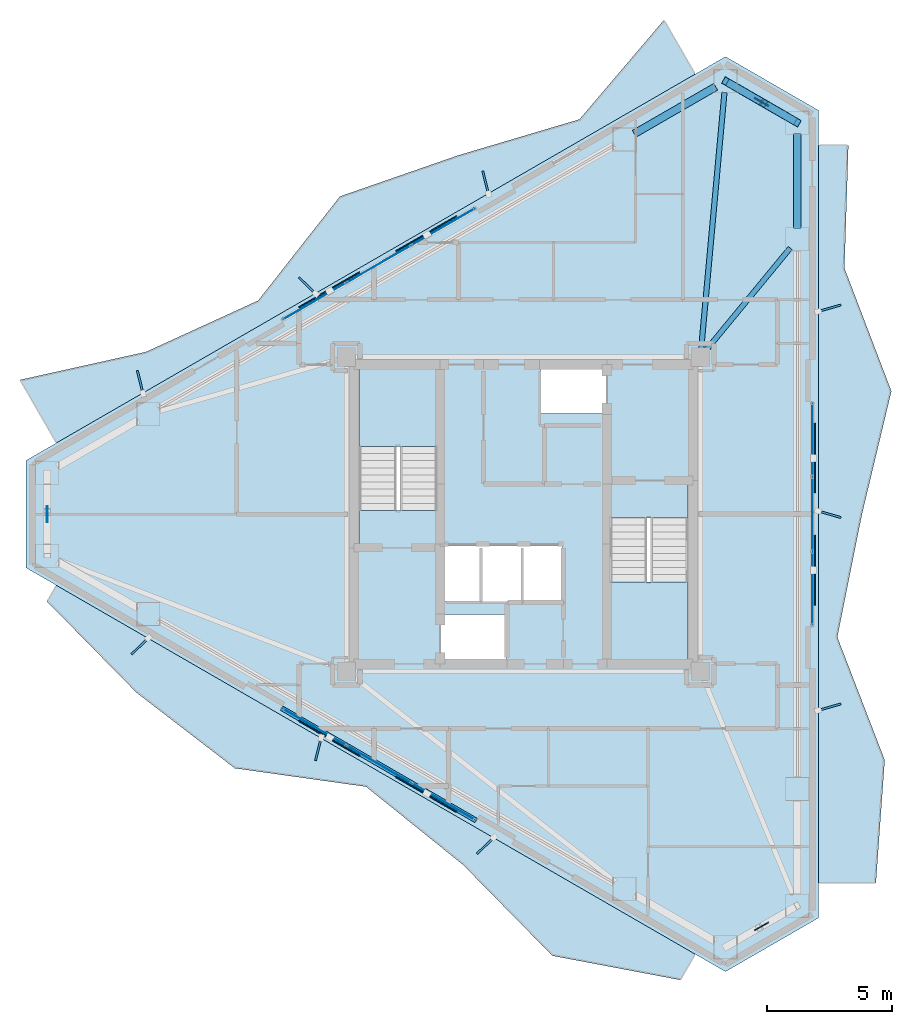
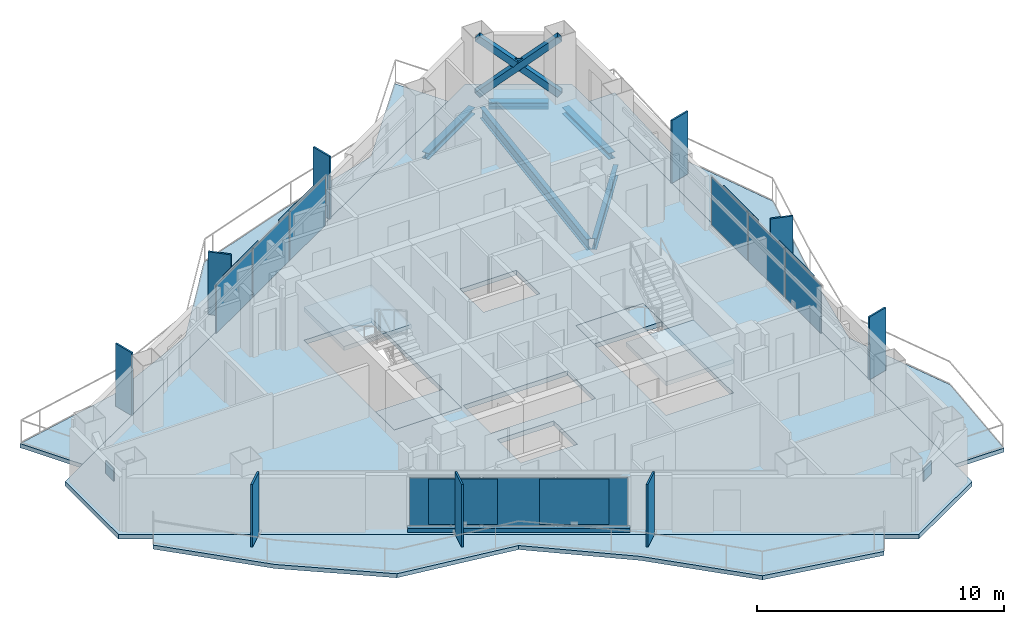
# One storey, part 15 of 21: 27 plates, 8 slabs, 5 beams, 3 members, 1 wall, 5 elements without a shape of their own.
"""IFC4 building model written with IfcOpenShell, lengths in metres."""

from ifc_helpers import new_model, si_unit, direction, frame, frame_2d, origin, origin_2d, place, context, subcontext, project, spatial, polyline, rectangle, hollow_rectangle, i_section, outline, extrude, material, layer, layer_set, material_profile, profile_set, type_object, element, aggregate, save


model = new_model("IFC4")

# Units and contexts
model_context = context("Model", 3, precision=1e-05, world=origin(), true_north=direction((0.0, 1.0)))
body_context = subcontext(model_context, "Body", "Model", "MODEL_VIEW")
ifc_project = project(units=[si_unit("LENGTHUNIT", "METRE"), si_unit("AREAUNIT", "SQUARE_METRE"), si_unit("VOLUMEUNIT", "CUBIC_METRE"), si_unit("PLANEANGLEUNIT", "RADIAN"), si_unit("MASSUNIT", "GRAM", prefix="KILO")], contexts=[model_context])

# Site, building, storey
site_placement = place(None, origin())
site = spatial("IfcSite", under=ifc_project, at=site_placement, CompositionType="ELEMENT")
building_placement = place(site_placement, origin())
building = spatial("IfcBuilding", under=site, at=building_placement, Name="Mersakhor Tower and Convention Hall", CompositionType="ELEMENT")
storey_placement = place(building_placement, frame((0.0, 0.0, 182.10009765625)))
storey = spatial("IfcBuildingStorey", under=building, at=storey_placement, Name="L50", CompositionType="ELEMENT", Elevation=182.10009765625)

# Beams
ifc_material_1 = material(Name="Steel S355", Category="steel")
ifc_material_profile_1 = material_profile(ifc_material_1, i_section(OverallWidth=0.2099609375, OverallDepth=0.53662109375, WebThickness=0.0107421875, FlangeThickness=0.017333984375, at=origin_2d()), Name="UB 533x210x101")
ifc_profile_set_1 = profile_set([ifc_material_profile_1], Name="Steel S355")
beam_type_1 = type_object("IfcBeamType", Name="BM-FB-533", PredefinedType="BEAM", material=ifc_profile_set_1)
beam_1_placement = place(storey_placement, frame((36.132080078125, 33.403564453125, -0.498291015625), z_axis=(0.09035626971, 0.995909506192, 0.0), x_axis=(-0.995909506192, 0.09035626971, 0.0)))
element("IfcBeam", 1, at=beam_1_placement, inside=storey, type_object=beam_type_1, Name="L50 Primary Floor Girder FG-2", PredefinedType="BEAM", context=body_context, shape_type="SweptSolid", body=[
    extrude(i_section(OverallWidth=0.2099609375, OverallDepth=0.53662109375, WebThickness=0.0107421875, FlangeThickness=0.017333984375, at=origin_2d()), origin(), (0.0, 0.0, 1.0), 10.302734375),
])
beam_2_placement = place(storey_placement, frame((36.32568359375, 33.32421875, -0.498291015625), z_axis=(0.635639529599, 0.77198600273, 0.0), x_axis=(-0.77198600273, 0.635639529599, 0.0)))
element("IfcBeam", 2, at=beam_2_placement, inside=storey, type_object=beam_type_1, Name="L50 Primary Floor Girder FG-3", PredefinedType="BEAM", context=body_context, shape_type="SweptSolid", body=[
    extrude(i_section(OverallWidth=0.2099609375, OverallDepth=0.53662109375, WebThickness=0.0107421875, FlangeThickness=0.017333984375, at=origin_2d()), origin(), (0.0, 0.0, 1.0), 5.307373046875),
])
ifc_material_2 = material(Name="Steel S355", Category="steel")
ifc_material_profile_2 = material_profile(ifc_material_2, i_section(OverallWidth=0.30908203125, OverallDepth=0.320556640625, WebThickness=0.013916015625, FlangeThickness=0.021728515625, at=origin_2d()), Name="UC 305x305x137")
ifc_profile_set_2 = profile_set([ifc_material_profile_2], Name="Steel S355")
beam_type_2 = type_object("IfcBeamType", Name="BM-SPD-UC305", PredefinedType="SPANDREL", material=ifc_profile_set_2)
beam_3_placement = place(storey_placement, frame((33.44580078125, 42.005126953125, -0.390380859375), z_axis=(0.866046450459, 0.499963544319, 0.0), x_axis=(-0.499963544319, 0.866046450459, 0.0)))
element("IfcBeam", 3, at=beam_3_placement, inside=storey, type_object=beam_type_2, Name="L50 Perimeter Spandrel Beam SPB-03", PredefinedType="SPANDREL", context=body_context, shape_type="SweptSolid", body=[
    extrude(i_section(OverallWidth=0.30908203125, OverallDepth=0.320556640625, WebThickness=0.013916015625, FlangeThickness=0.021728515625, at=origin_2d()), origin(), (0.0, 0.0, 1.0), 3.769287109375),
])
beam_4_placement = place(storey_placement, frame((37.498046875, 43.8896484375, -0.390380859375), z_axis=(0.86605626798, -0.499946537834, 0.0), x_axis=(0.499946537834, 0.86605626798, 0.0)))
element("IfcBeam", 4, at=beam_4_placement, inside=storey, type_object=beam_type_2, Name="L50 Perimeter Spandrel Beam SPB-04", PredefinedType="SPANDREL", context=body_context, shape_type="SweptSolid", body=[
    extrude(i_section(OverallWidth=0.30908203125, OverallDepth=0.320556640625, WebThickness=0.013916015625, FlangeThickness=0.021728515625, at=origin_2d()), origin(), (0.0, 0.0, 1.0), 2.420654296875),
])
beam_5_placement = place(storey_placement, frame((39.98828125, 41.9970703125, -0.390380859375), z_axis=(0.0, -1.0, 0.0), x_axis=(1.0, 0.0, 0.0)))
element("IfcBeam", 5, at=beam_5_placement, inside=storey, type_object=beam_type_2, Name="L50 Perimeter Spandrel Beam SPB-05", PredefinedType="SPANDREL", context=body_context, shape_type="SweptSolid", body=[
    extrude(i_section(OverallWidth=0.30908203125, OverallDepth=0.320556640625, WebThickness=0.013916015625, FlangeThickness=0.021728515625, at=origin_2d()), origin(), (0.0, 0.0, 1.0), 3.769287109375),
])

# Members
ifc_material_3 = material(Name="Steel S355", Category="steel")
ifc_material_profile_3 = material_profile(ifc_material_3, hollow_rectangle(XDim=0.300048828125, YDim=0.300048828125, WallThickness=0.01611328125, at=origin_2d()), Name="SHS 300x300x16")
ifc_profile_set_3 = profile_set([ifc_material_profile_3], Name="Steel S355")
member_type = type_object("IfcMemberType", Name="MB-BRC-SHS300", PredefinedType="BRACE", material=ifc_profile_set_3)
member_1_placement = place(storey_placement, frame((37.10400390625, 44.1171875, 0.14990234375), z_axis=(0.665824923443, -0.384424564314, 0.639448923429), x_axis=(0.50001011158, 0.866019565782, 0.0)))
element("IfcMember", 6, at=member_1_placement, inside=storey, type_object=member_type, Name="L50 Chamfer Braced Frame Diagonal CB-1A", PredefinedType="BRACE", context=body_context, shape_type="SweptSolid", body=[
    extrude(hollow_rectangle(XDim=0.300048828125, YDim=0.300048828125, WallThickness=0.01611328125, at=origin_2d()), origin(), (0.0, 0.0, 1.0), 4.331787109375),
])
member_2_placement = place(storey_placement, frame((39.98828125, 42.451904296875, 0.14990234375), z_axis=(-0.665763296387, 0.384506307606, 0.639463941592), x_axis=(-0.500124558158, -0.865953478154, 0.0)))
element("IfcMember", 7, at=member_2_placement, inside=storey, type_object=member_type, Name="L50 Chamfer Braced Frame Diagonal CB-1B Lower Half", PredefinedType="BRACE", context=body_context, shape_type="SweptSolid", body=[
    extrude(hollow_rectangle(XDim=0.300048828125, YDim=0.300048828125, WallThickness=0.01611328125, at=origin_2d()), origin(), (0.0, 0.0, 1.0), 2.005126953125),
])
member_3_placement = place(storey_placement, frame((38.439208984375, 43.34619140625, 1.6376953125), z_axis=(-0.665831077073, 0.384475140135, 0.639412107659), x_axis=(-0.50005597947, -0.86599308161, 0.0)))
element("IfcMember", 8, at=member_3_placement, inside=storey, type_object=member_type, Name="L50 Chamfer Braced Frame Diagonal CB-1B Upper Half", PredefinedType="BRACE", context=body_context, shape_type="SweptSolid", body=[
    extrude(hollow_rectangle(XDim=0.300048828125, YDim=0.300048828125, WallThickness=0.01611328125, at=origin_2d()), origin(), (0.0, 0.0, 1.0), 2.00537109375),
])

# Curtain wall, plates
ifc_material_4 = material(Name="Dark solar low-E aluminium curtain wall", Category="aluminium")
ifc_layer_1 = layer(ifc_material_4, 0.169921875)
ifc_layer_set_1 = layer_set([ifc_layer_1], Name="Dark solar low-E aluminium curtain wall")
curtain_wall_type = type_object("IfcCurtainWallType", Name="CW-SYS-02", PredefinedType="USERDEFINED", material=ifc_layer_set_1)
curtain_wall_1_placement = place(storey_placement, origin())
curtain_wall_1 = element("IfcCurtainWall", 9, at=curtain_wall_1_placement, inside=storey, type_object=curtain_wall_type, Name="L50 Dark-Glass Curtain Wall F1-B2", ObjectType="CURTAIN WALL", PredefinedType="USERDEFINED")
ifc_material_5 = material(Name="Dark solar double glazing", Category="glass")
ifc_layer_2 = layer(ifc_material_5, 0.028076171875)
ifc_layer_set_2 = layer_set([ifc_layer_2], Name="Dark solar double glazing")
plate_type_1 = type_object("IfcPlateType", Name="CWP-GLZ-28", PredefinedType="CURTAIN_PANEL", material=ifc_layer_set_2)
plate_1_placement = place(storey_placement, frame((20.624267578125, 35.29541015625, 0.259765625), z_axis=(0.0, 0.0, 1.0), x_axis=(0.86602088627, 0.500007824483, 0.0)))
plate_1 = element("IfcPlate", 10, at=plate_1_placement, type_object=plate_type_1, Name="CW-02 panel 1.1", PredefinedType="CURTAIN_PANEL", context=body_context, shape_type="SweptSolid", body=[
    extrude(rectangle(XDim=2.88720703125, YDim=0.028076171875, at=origin_2d()), origin(), (0.0, 0.0, 1.0), 2.3701171875),
])
plate_2_placement = place(storey_placement, frame((23.205810546875, 36.785888671875, 0.259765625), z_axis=(0.0, 0.0, 1.0), x_axis=(0.86602088627, 0.500007824483, 0.0)))
plate_2 = element("IfcPlate", 11, at=plate_2_placement, type_object=plate_type_1, Name="CW-02 panel 2.1", PredefinedType="CURTAIN_PANEL", context=body_context, shape_type="SweptSolid", body=[
    extrude(rectangle(XDim=2.924560546875, YDim=0.028076171875, at=origin_2d()), origin(), (0.0, 0.0, 1.0), 2.3701171875),
])
plate_3_placement = place(storey_placement, frame((25.787353515625, 38.2763671875, 0.259765625), z_axis=(0.0, 0.0, 1.0), x_axis=(0.86602088627, 0.500007824483, 0.0)))
plate_3 = element("IfcPlate", 12, at=plate_3_placement, type_object=plate_type_1, Name="CW-02 panel 3.1", PredefinedType="CURTAIN_PANEL", context=body_context, shape_type="SweptSolid", body=[
    extrude(rectangle(XDim=2.88720703125, YDim=0.028076171875, at=origin_2d()), origin(), (0.0, 0.0, 1.0), 2.3701171875),
])
aggregate(curtain_wall_1, [plate_1, plate_2, plate_3])

curtain_wall_2_placement = place(storey_placement, origin())
curtain_wall_2 = element("IfcCurtainWall", 13, at=curtain_wall_2_placement, inside=storey, type_object=curtain_wall_type, Name="L50 Dark-Glass Curtain Wall F2-B2", ObjectType="CURTAIN WALL", PredefinedType="USERDEFINED")
plate_4_placement = place(storey_placement, frame((40.58837890625, 29.73095703125, 0.259765625), z_axis=(0.0, 0.0, 1.0), x_axis=(0.0, -1.0, 0.0)))
plate_4 = element("IfcPlate", 14, at=plate_4_placement, type_object=plate_type_1, Name="CW-02 panel 1.1", PredefinedType="CURTAIN_PANEL", context=body_context, shape_type="SweptSolid", body=[
    extrude(rectangle(XDim=2.88720703125, YDim=0.028076171875, at=origin_2d()), origin(), (0.0, 0.0, 1.0), 2.3701171875),
])
plate_5_placement = place(storey_placement, frame((40.58837890625, 26.75, 0.259765625), z_axis=(0.0, 0.0, 1.0), x_axis=(0.0, -1.0, 0.0)))
plate_5 = element("IfcPlate", 15, at=plate_5_placement, type_object=plate_type_1, Name="CW-02 panel 2.1", PredefinedType="CURTAIN_PANEL", context=body_context, shape_type="SweptSolid", body=[
    extrude(rectangle(XDim=2.924560546875, YDim=0.028076171875, at=origin_2d()), origin(), (0.0, 0.0, 1.0), 2.3701171875),
])
plate_6_placement = place(storey_placement, frame((40.58837890625, 23.76904296875, 0.259765625), z_axis=(0.0, 0.0, 1.0), x_axis=(0.0, -1.0, 0.0)))
plate_6 = element("IfcPlate", 16, at=plate_6_placement, type_object=plate_type_1, Name="CW-02 panel 3.1", PredefinedType="CURTAIN_PANEL", context=body_context, shape_type="SweptSolid", body=[
    extrude(rectangle(XDim=2.88720703125, YDim=0.028076171875, at=origin_2d()), origin(), (0.0, 0.0, 1.0), 2.3701171875),
])
aggregate(curtain_wall_2, [plate_4, plate_5, plate_6])

curtain_wall_3_placement = place(storey_placement, origin())
curtain_wall_3 = element("IfcCurtainWall", 17, at=curtain_wall_3_placement, inside=storey, type_object=curtain_wall_type, Name="L50 Dark-Glass Curtain Wall F3-B2", ObjectType="CURTAIN WALL", PredefinedType="USERDEFINED")
plate_7_placement = place(storey_placement, frame((25.787353515625, 15.2236328125, 0.259765625), z_axis=(0.0, 0.0, 1.0), x_axis=(-0.86602088627, 0.500007824483, 0.0)))
plate_7 = element("IfcPlate", 18, at=plate_7_placement, type_object=plate_type_1, Name="CW-02 panel 1.1", PredefinedType="CURTAIN_PANEL", context=body_context, shape_type="SweptSolid", body=[
    extrude(rectangle(XDim=2.88720703125, YDim=0.028076171875, at=origin_2d()), origin(), (0.0, 0.0, 1.0), 2.3701171875),
])
plate_8_placement = place(storey_placement, frame((23.205810546875, 16.714111328125, 0.259765625), z_axis=(0.0, 0.0, 1.0), x_axis=(-0.86602088627, 0.500007824483, 0.0)))
plate_8 = element("IfcPlate", 19, at=plate_8_placement, type_object=plate_type_1, Name="CW-02 panel 2.1", PredefinedType="CURTAIN_PANEL", context=body_context, shape_type="SweptSolid", body=[
    extrude(rectangle(XDim=2.924560546875, YDim=0.028076171875, at=origin_2d()), origin(), (0.0, 0.0, 1.0), 2.3701171875),
])
plate_9_placement = place(storey_placement, frame((20.624267578125, 18.20458984375, 0.259765625), z_axis=(0.0, 0.0, 1.0), x_axis=(-0.86602088627, 0.500007824483, 0.0)))
plate_9 = element("IfcPlate", 20, at=plate_9_placement, type_object=plate_type_1, Name="CW-02 panel 3.1", PredefinedType="CURTAIN_PANEL", context=body_context, shape_type="SweptSolid", body=[
    extrude(rectangle(XDim=2.88720703125, YDim=0.028076171875, at=origin_2d()), origin(), (0.0, 0.0, 1.0), 2.3701171875),
])
aggregate(curtain_wall_3, [plate_7, plate_8, plate_9])

# Plates
ifc_material_6 = material(Name="Ceramic-clad aluminium Zone 4 terracotta-coral", Category="masonry")
ifc_material_7 = material(Name="Ceramic-clad aluminium Zone 1 cobalt-slate", Category="masonry")
ifc_layer_3 = layer(ifc_material_7, 0.080078125)
ifc_layer_set_3 = layer_set([ifc_layer_3], Name="Ceramic-clad aluminium Zone 1 cobalt-slate")
plate_type_2 = type_object("IfcPlateType", Name="PL-FIN-80", PredefinedType="USERDEFINED", material=ifc_layer_set_3)
for number, where, z_axis, x_axis, name in (
    (21, (13.629150390625, 32.049560546875, -0.000244140625), (0.0, 0.0, 1.0), (-0.2419218956, 0.970295726276, 0.0), "L50 Zone 4 Coloured Brise-Soleil Fin F1-1"),
    (22, (20.33056640625, 35.918701171875, -0.000244140625), (0.0, 0.0, 1.0), (-0.719339800339, 0.694658370459, 0.0), "L50 Zone 4 Coloured Brise-Soleil Fin F1-2"),
    (23, (27.485595703125, 40.049560546875, -0.000244140625), (0.0, 0.0, 1.0), (-0.2419218956, 0.970295726276, 0.0), "L50 Zone 4 Coloured Brise-Soleil Fin F1-3"),
    (24, (41.27490234375, 35.007080078125, -0.000244140625), (0.0, 0.0, 1.0), (0.961261695938, 0.275637355817, 0.0), "L50 Zone 4 Coloured Brise-Soleil Fin F2-1"),
    (25, (41.27490234375, 26.7451171875, -0.000244140625), (0.0, 0.0, 1.0), (0.961261695938, -0.275637355817, 0.0), "L50 Zone 4 Coloured Brise-Soleil Fin F2-2"),
    (26, (41.27490234375, 19.007080078125, -0.000244140625), (0.0, 0.0, 1.0), (0.961261695938, 0.275637355817, 0.0), "L50 Zone 4 Coloured Brise-Soleil Fin F2-3"),
    (27, (27.47705078125, 13.455322265625, -0.000244140625), (0.0, 0.0, 1.0), (-0.719339800339, -0.694658370459, 0.0), "L50 Zone 4 Coloured Brise-Soleil Fin F3-1"),
    (28, (20.775634765625, 17.324462890625, -0.000244140625), (0.0, 0.0, 1.0), (-0.2419218956, -0.970295726276, 0.0), "L50 Zone 4 Coloured Brise-Soleil Fin F3-2"),
    (29, (13.62060546875, 21.455322265625, -0.000244140625), (0.0, 0.0, 1.0), (-0.719339800339, -0.694658370459, 0.0), "L50 Zone 4 Coloured Brise-Soleil Fin F3-3"),
):
    element("IfcPlate", number, at=place(storey_placement, frame(where, z_axis=z_axis, x_axis=x_axis)), inside=storey, type_object=plate_type_2, material=ifc_material_6, Name=name, ObjectType="FIN", PredefinedType="USERDEFINED", context=body_context, shape_type="SweptSolid", body=[
        extrude(rectangle(XDim=0.949951171875, YDim=0.080078125, at=origin_2d()), origin(), (0.0, 0.0, 1.0), 3.10009765625),
    ])
ifc_material_8 = material(Name="Steel S460", Category="steel")
ifc_layer_4 = layer(ifc_material_8, 0.0400390625)
ifc_layer_set_4 = layer_set([ifc_layer_4], Name="Steel S460")
plate_type_3 = type_object("IfcPlateType", Name="PL-GUSSET-40", PredefinedType="SHEET", material=ifc_layer_set_4)
for number, where, z_axis, x_axis, name in (
    (30, (38.54638671875, 43.28466796875, 1.21484375), (0.0, 0.0, 1.0), (-0.866025403784, 0.5, 0.0), "L50 X-Brace Crossing Gusset Node Plate"),
    (31, (38.54638671875, 10.21533203125, 1.21484375), (0.0, 0.0, 1.0), (0.866025403784, 0.5, 0.0), "L50 X-Brace Crossing Gusset Node Plate"),
    (32, (9.907470703125, 26.75, 1.21484375), (0.0, 0.0, 1.0), (0.0, -1.0, 0.0), "L50 X-Brace Crossing Gusset Node Plate"),
):
    element("IfcPlate", number, at=place(storey_placement, frame(where, z_axis=z_axis, x_axis=x_axis)), inside=storey, type_object=plate_type_3, Name=name, PredefinedType="SHEET", context=body_context, shape_type="SweptSolid", body=[
        extrude(rectangle(XDim=0.639892578125, YDim=0.0400390625, at=origin_2d()), origin(), (0.0, 0.0, 1.0), 0.639892578125),
    ])
ifc_material_9 = material(Name="Perforated ceramic cobogo solar screen", Category="aluminium")
ifc_layer_5 = layer(ifc_material_9, 0.048095703125)
ifc_layer_set_5 = layer_set([ifc_layer_5], Name="Perforated ceramic cobogo solar screen")
plate_type_4 = type_object("IfcPlateType", Name="PL-SCR-48", PredefinedType="USERDEFINED", material=ifc_layer_set_5)
for number, where, z_axis, x_axis, name in (
    (33, (21.21044921875, 35.742431640625, 0.39990234375), (0.0, 0.0, 1.0), (0.866025403784, 0.5, 0.0), "L50 Perforated Ceramic Solar Screen F1-1"),
    (34, (25.107177734375, 37.9921875, 0.39990234375), (0.0, 0.0, 1.0), (0.866025403784, 0.5, 0.0), "L50 Perforated Ceramic Solar Screen F1-2"),
    (35, (40.682373046875, 28.999755859375, 0.39990234375), (0.0, 0.0, 1.0), (0.0, -1.0, 0.0), "L50 Perforated Ceramic Solar Screen F2-1"),
    (36, (40.682373046875, 24.500244140625, 0.39990234375), (0.0, 0.0, 1.0), (0.0, -1.0, 0.0), "L50 Perforated Ceramic Solar Screen F2-2"),
    (37, (25.107177734375, 15.5078125, 0.39990234375), (0.0, 0.0, 1.0), (-0.866025403784, 0.5, 0.0), "L50 Perforated Ceramic Solar Screen F3-1"),
    (38, (21.21044921875, 17.757568359375, 0.39990234375), (0.0, 0.0, 1.0), (-0.866025403784, 0.5, 0.0), "L50 Perforated Ceramic Solar Screen F3-2"),
):
    element("IfcPlate", number, at=place(storey_placement, frame(where, z_axis=z_axis, x_axis=x_axis)), inside=storey, type_object=plate_type_4, Name=name, ObjectType="SCREEN", PredefinedType="USERDEFINED", context=body_context, shape_type="SweptSolid", body=[
        extrude(rectangle(XDim=2.800048828125, YDim=0.048095703125, at=origin_2d()), origin(), (0.0, 0.0, 1.0), 2.239990234375),
    ])

# Slabs
ifc_material_10 = material(Name="Concrete C45/55", Category="concrete")
ifc_layer_6 = layer(ifc_material_10, 0.199951171875)
ifc_layer_set_6 = layer_set([ifc_layer_6], Name="Concrete C45/55")
slab_type_1 = type_object("IfcSlabType", Name="SL-BAL-200", PredefinedType="FLOOR", material=ifc_layer_set_6)
slab_1_placement = place(storey_placement, frame((0.0, 0.0, -0.2001953125)))
element("IfcSlab", 39, at=slab_1_placement, inside=storey, type_object=slab_type_1, Name="L50 Sinusoidal Balcony Slab Face 1", PredefinedType="FLOOR", context=body_context, shape_type="SweptSolid", body=[
    extrude(outline(polyline([(10.27001953125, 29.60595703125), (35.8916015625, 44.398681640625), (34.638916015625, 46.568603515625), (31.246337890625, 42.582763671875), (26.385498046875, 41.14013671875), (21.642578125, 39.493408203125), (18.36083984375, 35.315673828125), (13.8564453125, 33.255615234375), (8.809814453125, 32.134765625), (10.27001953125, 29.60595703125)])), origin(), (0.0, 0.0, 1.0), 0.2001953125),
])
slab_2_placement = place(storey_placement, frame((0.0, 0.0, -0.2001953125)))
element("IfcSlab", 40, at=slab_2_placement, inside=storey, type_object=slab_type_1, Name="L50 Sinusoidal Balcony Slab Face 2", PredefinedType="FLOOR", context=body_context, shape_type="SweptSolid", body=[
    extrude(outline(polyline([(40.83837890625, 41.542724609375), (40.83837890625, 11.957275390625), (43.136962890625, 11.957275390625), (43.489990234375, 16.88818359375), (41.58837890625, 21.819091796875), (42.57861328125, 26.75), (43.75830078125, 31.680908203125), (41.8759765625, 36.61181640625), (42.033447265625, 41.542724609375), (40.83837890625, 41.542724609375)])), origin(), (0.0, 0.0, 1.0), 0.2001953125),
])
slab_3_placement = place(storey_placement, frame((0.0, 0.0, -0.2001953125)))
element("IfcSlab", 41, at=slab_3_placement, inside=storey, type_object=slab_type_1, Name="L50 Sinusoidal Balcony Slab Face 3", PredefinedType="FLOOR", context=body_context, shape_type="SweptSolid", body=[
    extrude(outline(polyline([(35.8916015625, 9.101318359375), (10.27001953125, 23.89404296875), (9.89501953125, 23.244384765625), (13.48095703125, 19.59375), (17.42236328125, 16.558837890625), (22.689208984375, 15.8193359375), (26.57568359375, 12.689208984375), (30.161376953125, 9.0380859375), (35.294189453125, 8.06640625), (35.8916015625, 9.101318359375)])), origin(), (0.0, 0.0, 1.0), 0.2001953125),
])
ifc_material_11 = material(Name="Concrete C40/50", Category="concrete")
ifc_layer_7 = layer(ifc_material_11, 0.22998046875)
ifc_layer_set_7 = layer_set([ifc_layer_7], Name="Concrete C40/50")
slab_type_2 = type_object("IfcSlabType", Name="SL-FLR-230", PredefinedType="FLOOR", material=ifc_layer_set_7)
slab_4_placement = place(storey_placement, frame((0.0, 0.0, -0.22998046875)))
element("IfcSlab", 42, at=slab_4_placement, inside=storey, type_object=slab_type_2, Name="L50 ST-1 Structural Stair Floor Landing", PredefinedType="LANDING", context=body_context, shape_type="SweptSolid", body=[
    extrude(outline(polyline([(25.550048828125, 25.39990234375), (25.550048828125, 26.89990234375), (22.39990234375, 26.89990234375), (22.39990234375, 25.39990234375), (25.550048828125, 25.39990234375)])), origin(), (0.0, 0.0, 1.0), 0.22998046875),
])
slab_5_placement = place(storey_placement, frame((0.0, 0.0, -0.22998046875)))
element("IfcSlab", 43, at=slab_5_placement, inside=storey, type_object=slab_type_2, Name="L50 ST-2 Structural Stair Floor Landing", PredefinedType="LANDING", context=body_context, shape_type="SweptSolid", body=[
    extrude(outline(polyline([(32.449951171875, 28.10009765625), (32.449951171875, 26.60009765625), (35.60009765625, 26.60009765625), (35.60009765625, 28.10009765625), (32.449951171875, 28.10009765625)])), origin(), (0.0, 0.0, 1.0), 0.22998046875),
])
slab_6_placement = place(storey_placement, frame((0.0, 0.0, -0.22998046875)))
element("IfcSlab", 44, at=slab_6_placement, inside=storey, type_object=slab_type_2, Name="Tower L50 Structural Floor Slab", PredefinedType="FLOOR", context=body_context, shape_type="SweptSolid", body=[
    extrude(outline(polyline([(9.0576171875, 28.906005859375), (37.10400390625, 45.0986328125), (40.83837890625, 42.942626953125), (40.83837890625, 10.557373046875), (37.10400390625, 8.4013671875), (9.0576171875, 24.593994140625), (9.0576171875, 28.906005859375)]), holes=[polyline([(25.550048828125, 25.39990234375), (25.550048828125, 32.699951171875), (22.39990234375, 32.699951171875), (22.39990234375, 25.39990234375), (25.550048828125, 25.39990234375)]), polyline([(32.449951171875, 28.10009765625), (32.449951171875, 20.800048828125), (35.60009765625, 20.800048828125), (35.60009765625, 28.10009765625), (32.449951171875, 28.10009765625)]), polyline([(25.679931640625, 20.820068359375), (25.679931640625, 22.719970703125), (28.320068359375, 22.719970703125), (28.320068359375, 20.820068359375), (25.679931640625, 20.820068359375)]), polyline([(29.679931640625, 30.780029296875), (29.679931640625, 32.679931640625), (32.320068359375, 32.679931640625), (32.320068359375, 30.780029296875), (29.679931640625, 30.780029296875)]), polyline([(25.679931640625, 23.25), (25.679931640625, 25.5), (30.570068359375, 25.5), (30.570068359375, 23.25), (25.679931640625, 23.25)])]), origin(), (0.0, 0.0, 1.0), 0.22998046875),
])

# Stair, slab
ifc_material_12 = material(Name="Concrete C45/55", Category="concrete")
stair_type = type_object("IfcStairType", Name="ST-TWR-20R", PredefinedType="HALF_TURN_STAIR", material=ifc_material_12)
stair_1_placement = place(storey_placement, origin())
stair_1 = element("IfcStair", 45, at=stair_1_placement, inside=storey, type_object=stair_type, Name="L50 Tower Protected Exit Stair ST-1", PredefinedType="HALF_TURN_STAIR")
ifc_material_13 = material(Name="Concrete C45/55", Category="concrete")
ifc_layer_8 = layer(ifc_material_13, 0.199951171875)
ifc_layer_set_8 = layer_set([ifc_layer_8], Name="Concrete C45/55")
slab_type_3 = type_object("IfcSlabType", Name="SL-LAND-200", PredefinedType="LANDING", material=ifc_layer_set_8)
slab_7_placement = place(storey_placement, frame((0.0, 0.0, 1.449951171875)))
slab_7 = element("IfcSlab", 46, at=slab_7_placement, type_object=slab_type_3, Name="ST-1 landing 1", PredefinedType="LANDING", context=body_context, shape_type="SweptSolid", body=[
    extrude(outline(polyline([(25.550048828125, 29.465087890625), (25.550048828125, 32.699951171875), (22.39990234375, 32.699951171875), (22.39990234375, 29.465087890625), (25.550048828125, 29.465087890625)])), origin(), (0.0, 0.0, 1.0), 0.199951171875),
])
aggregate(stair_1, [slab_7])

stair_2_placement = place(storey_placement, origin())
stair_2 = element("IfcStair", 47, at=stair_2_placement, inside=storey, type_object=stair_type, Name="L50 Tower Protected Exit Stair ST-2", PredefinedType="HALF_TURN_STAIR")
slab_8_placement = place(storey_placement, frame((0.0, 0.0, 1.449951171875)))
slab_8 = element("IfcSlab", 48, at=slab_8_placement, type_object=slab_type_3, Name="ST-2 landing 1", PredefinedType="LANDING", context=body_context, shape_type="SweptSolid", body=[
    extrude(outline(polyline([(32.449951171875, 24.034912109375), (32.449951171875, 20.800048828125), (35.60009765625, 20.800048828125), (35.60009765625, 24.034912109375), (32.449951171875, 24.034912109375)])), origin(), (0.0, 0.0, 1.0), 0.199951171875),
])
aggregate(stair_2, [slab_8])

# Wall
ifc_material_14 = material(Name="Precast concrete C40/50", Category="concrete")
ifc_layer_9 = layer(ifc_material_14, 0.199951171875)
ifc_layer_set_9 = layer_set([ifc_layer_9], Name="Precast concrete C40/50")
wall_type = type_object("IfcWallType", Name="WL-PAR-200", PredefinedType="PARAPET", material=ifc_layer_set_9)
wall_placement = place(storey_placement, frame((27.102294921875, 14.46435546875, 0.0), z_axis=(0.0, 0.0, 1.0), x_axis=(-0.866020680503, 0.500008180874, 0.0)))
element("IfcWall", 49, at=wall_placement, inside=storey, type_object=wall_type, Name="L50 Curtain Wall Upstand Sill F3-B2", PredefinedType="PARAPET", context=body_context, shape_type="SweptSolid", body=[
    extrude(rectangle(XDim=8.998779296875, YDim=0.199951171875, at=frame_2d((4.49951171875, 0.0))), origin(), (0.0, 0.0, 1.0), 0.199951171875),
])

save(model, "model.ifc")
